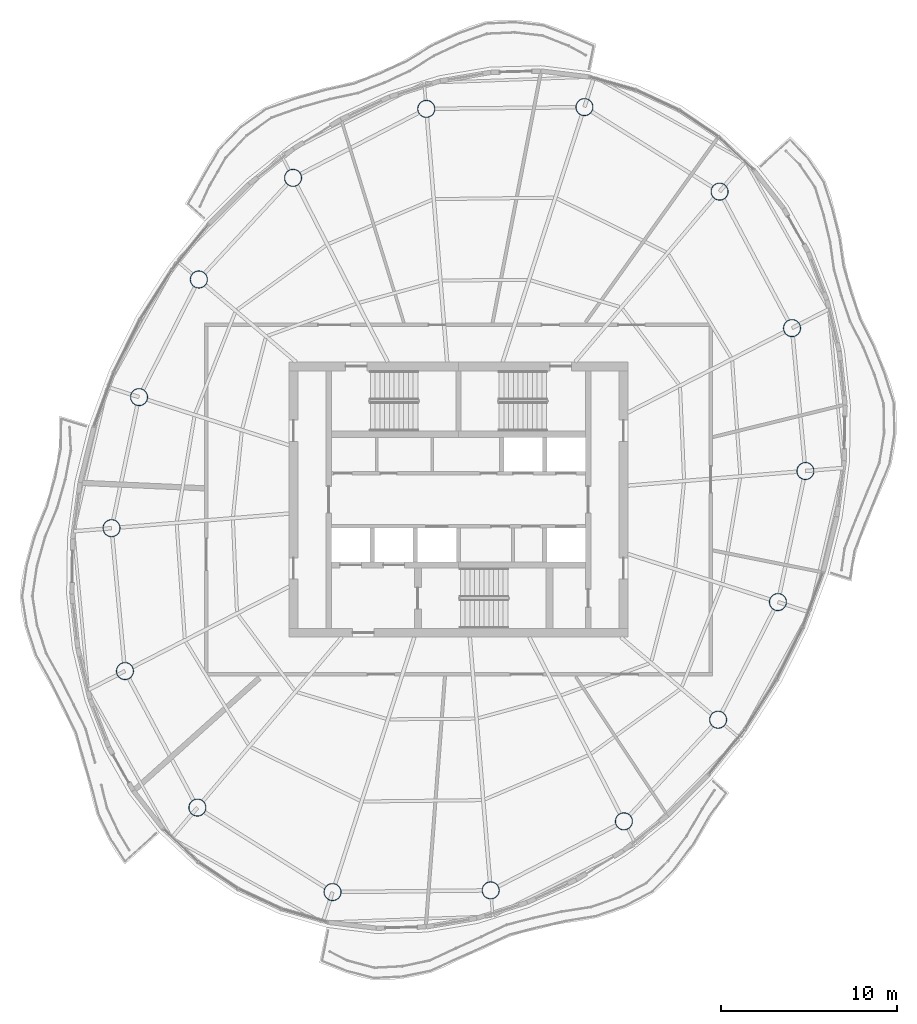
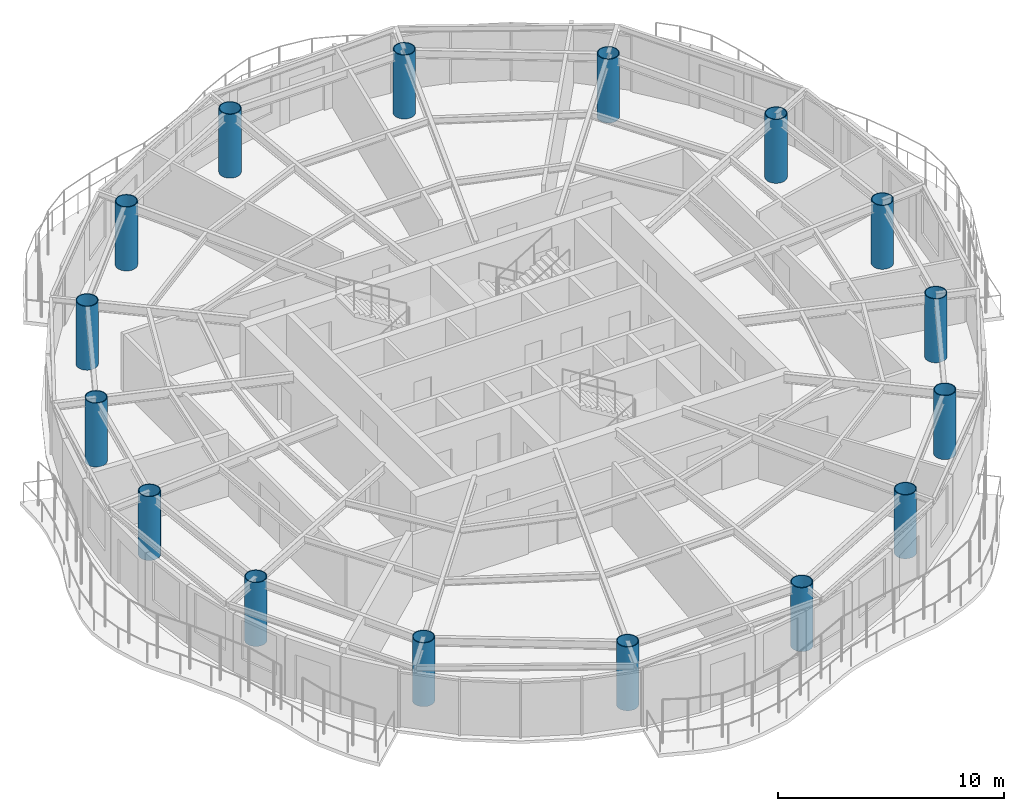
# One storey, part 1 of 13: 16 columns.
"""IFC4 building model written with IfcOpenShell, lengths in metres."""

from ifc_helpers import new_model, si_unit, direction, frame, origin, origin_2d, place, context, subcontext, project, spatial, hollow_circle, extrude, material, material_profile, profile_set, type_object, element, save


model = new_model("IFC4")

# Units and contexts
model_context = context("Model", 3, precision=1e-05, world=origin(), true_north=direction((0.0, 1.0)))
body_context = subcontext(model_context, "Body", "Model", "MODEL_VIEW")
ifc_project = project(units=[si_unit("LENGTHUNIT", "METRE"), si_unit("AREAUNIT", "SQUARE_METRE"), si_unit("VOLUMEUNIT", "CUBIC_METRE"), si_unit("PLANEANGLEUNIT", "RADIAN"), si_unit("MASSUNIT", "GRAM", prefix="KILO")], contexts=[model_context])

# Site, building, storey
site_placement = place(None, origin())
site = spatial("IfcSite", under=ifc_project, at=site_placement, CompositionType="ELEMENT")
building_placement = place(site_placement, origin())
building = spatial("IfcBuilding", under=site, at=building_placement, Name="Vermilion Reach Broadcast Tower", CompositionType="ELEMENT")
storey_placement = place(building_placement, frame((0.0, 0.0, 275.699951171875)))
storey = spatial("IfcBuildingStorey", under=building, at=storey_placement, Name="L68", CompositionType="ELEMENT", Elevation=275.699951171875)

# Columns
ifc_material = material(Name="Concrete C60 infill in steel S460NL tube", Category="concrete")
ifc_material_profile = material_profile(ifc_material, hollow_circle(Radius=0.5, WallThickness=0.0400390625, at=origin_2d()), Name="Concrete C60 infill in steel S460NL tube CFT 1000x40")
ifc_profile_set = profile_set([ifc_material_profile], Name="Concrete C60 infill in steel S460NL tube")
column_type = type_object("IfcColumnType", Name="MC5 CFT 1000x40", PredefinedType="COLUMN", material=ifc_profile_set)
for number, where, z_axis, x_axis, name in (
    (1, (1.138427734375, 22.2470703125, 0.0), (0.0, 0.0, 1.0), (1.0, 0.0, 0.0), "Mega-column MC5-01"),
    (2, (-7.824951171875, 22.1494140625, 0.0), (0.0, 0.0, 1.0), (1.0, 0.0, 0.0), "Mega-column MC5-02"),
    (3, (-15.376953125, 18.23779296875, 0.0), (0.0, 0.0, 1.0), (1.0, 0.0, 0.0), "Mega-column MC5-03"),
    (4, (-20.717529296875, 12.476806640625, 0.0), (0.0, 0.0, 1.0), (1.0, 0.0, 0.0), "Mega-column MC5-04"),
    (5, (-24.10595703125, 5.809814453125, 0.0), (0.0, 0.0, 1.0), (1.0, 0.0, 0.0), "Mega-column MC5-05"),
    (6, (-25.665771484375, -1.620361328125, 0.0), (0.0, 0.0, 1.0), (1.0, 0.0, 0.0), "Mega-column MC5-06"),
    (7, (-24.905517578125, -9.72021484375, 0.0), (0.0, 0.0, 1.0), (1.0, 0.0, 0.0), "Mega-column MC5-07"),
    (8, (-20.799560546875, -17.457275390625, 0.0), (0.0, 0.0, 1.0), (1.0, 0.0, 0.0), "Mega-column MC5-08"),
    (9, (-13.138427734375, -22.2470703125, 0.0), (0.0, 0.0, 1.0), (1.0, 0.0, 0.0), "Mega-column MC5-09"),
    (10, (-4.175048828125, -22.1494140625, 0.0), (0.0, 0.0, 1.0), (1.0, 0.0, 0.0), "Mega-column MC5-10"),
    (11, (3.376953125, -18.23779296875, 0.0), (0.0, 0.0, 1.0), (1.0, 0.0, 0.0), "Mega-column MC5-11"),
    (12, (8.717529296875, -12.476806640625, 0.0), (0.0, 0.0, 1.0), (1.0, 0.0, 0.0), "Mega-column MC5-12"),
    (13, (12.10595703125, -5.809814453125, 0.0), (0.0, 0.0, 1.0), (1.0, 0.0, 0.0), "Mega-column MC5-13"),
    (14, (13.665771484375, 1.620361328125, 0.0), (0.0, 0.0, 1.0), (1.0, 0.0, 0.0), "Mega-column MC5-14"),
    (15, (12.905517578125, 9.72021484375, 0.0), (0.0, 0.0, 1.0), (1.0, 0.0, 0.0), "Mega-column MC5-15"),
    (16, (8.799560546875, 17.457275390625, 0.0), (0.0, 0.0, 1.0), (1.0, 0.0, 0.0), "Mega-column MC5-16"),
):
    element("IfcColumn", number, at=place(storey_placement, frame(where, z_axis=z_axis, x_axis=x_axis)), inside=storey, type_object=column_type, Name=name, PredefinedType="COLUMN", context=body_context, shape_type="SweptSolid", body=[
        extrude(hollow_circle(Radius=0.5, WallThickness=0.0400390625, at=origin_2d()), origin(), (0.0, 0.0, 1.0), 3.449951171875),
    ])

save(model, "model.ifc")
